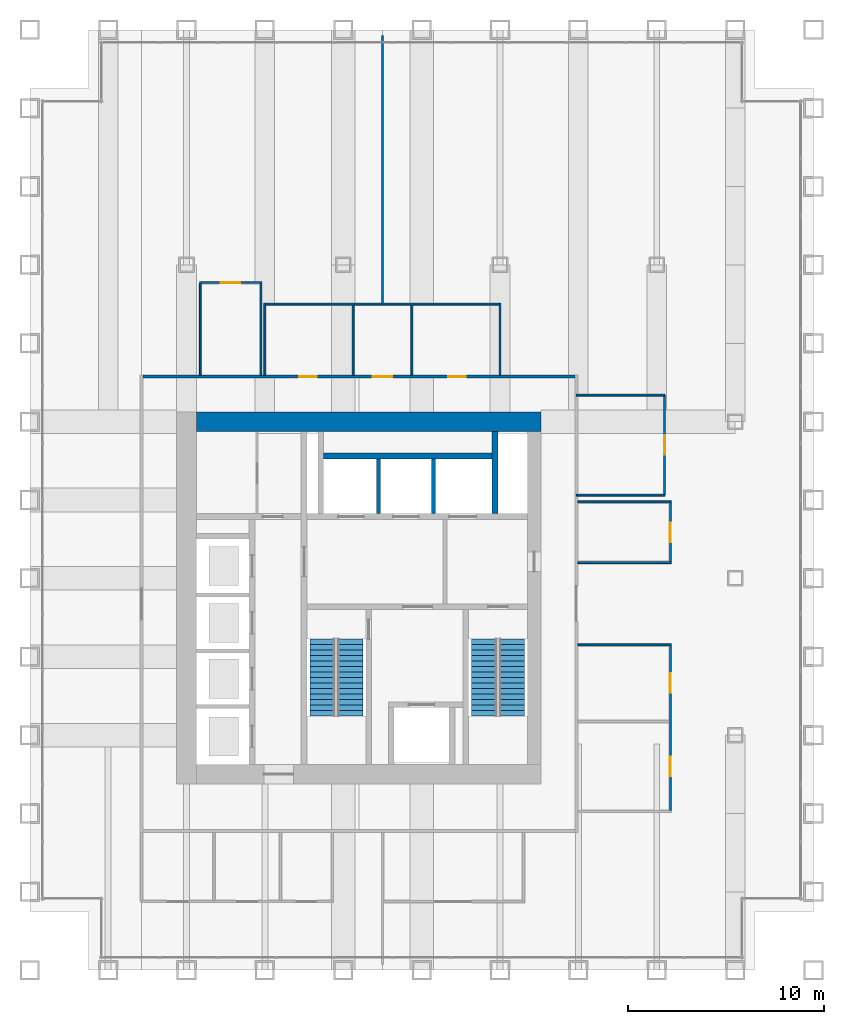
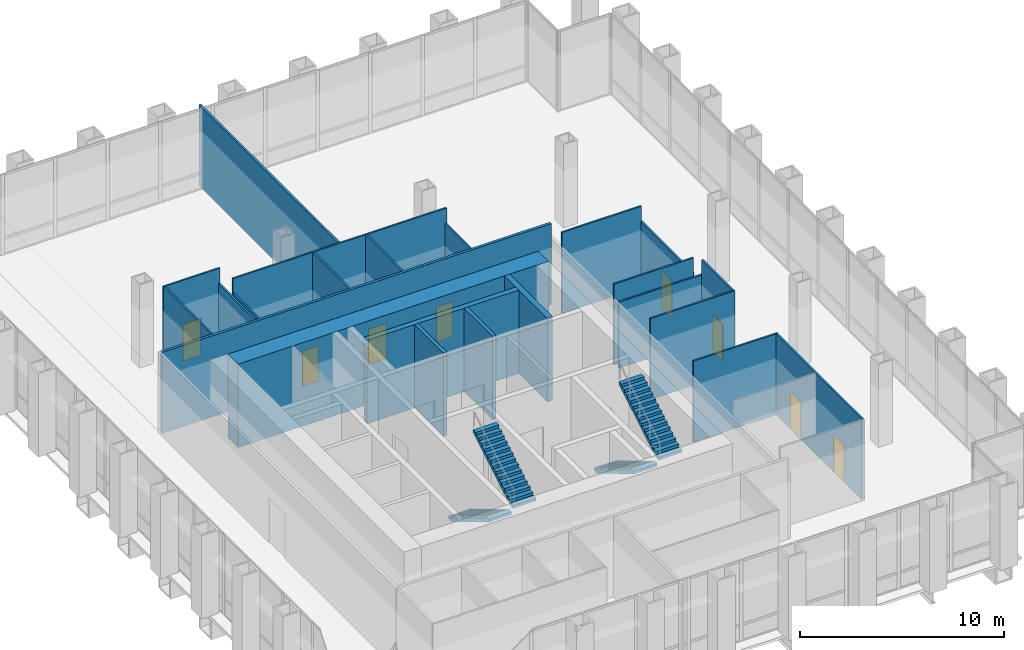
# One storey, part 11 of 13: 23 walls, 8 doors, 4 stair flights, 8 openings, 2 elements without a shape of their own.
"""IFC4 building model written with IfcOpenShell, lengths in metres."""

from ifc_helpers import new_model, si_unit, direction, frame, frame_2d, origin, place, context, subcontext, project, spatial, polyline, rectangle, outline, extrude, material, layer, layer_set, type_object, element, fill, aggregate, save


model = new_model("IFC4")

# Units and contexts
model_context = context("Model", 3, precision=1e-05, world=origin(), true_north=direction((0.0, 1.0)))
body_context = subcontext(model_context, "Body", "Model", "MODEL_VIEW")
ifc_project = project(units=[si_unit("LENGTHUNIT", "METRE"), si_unit("AREAUNIT", "SQUARE_METRE"), si_unit("VOLUMEUNIT", "CUBIC_METRE"), si_unit("PLANEANGLEUNIT", "RADIAN"), si_unit("MASSUNIT", "GRAM", prefix="KILO")], contexts=[model_context])

# Site, building, storey
site_placement = place(None, origin())
site = spatial("IfcSite", under=ifc_project, at=site_placement, CompositionType="ELEMENT")
building_placement = place(site_placement, origin())
building = spatial("IfcBuilding", under=site, at=building_placement, Name="Rimbunsela Tower", CompositionType="ELEMENT")
storey_placement = place(building_placement, frame((0.0, 0.0, 209.199951171875)))
storey = spatial("IfcBuildingStorey", under=building, at=storey_placement, Name="L50", CompositionType="ELEMENT", Elevation=209.199951171875)

# Walls
ifc_material_1 = material(Name="Concrete fc' 80 MPa", Category="concrete")
ifc_layer_1 = layer(ifc_material_1, 0.300048828125)
ifc_layer_set_1 = layer_set([ifc_layer_1], Name="Core internal wall 300")
wall_type_1 = type_object("IfcWallType", Name="Core internal wall 300", PredefinedType="SHEAR", material=ifc_layer_set_1)
wall_1_placement = place(storey_placement, frame((33.75, 31.300048828125, -0.14990234375), z_axis=(0.0, 0.0, 1.0), x_axis=(0.0, 1.0, 0.0)))
element("IfcWall", 1, at=wall_1_placement, inside=storey, type_object=wall_type_1, Name="Riser wall", PredefinedType="SHEAR", context=body_context, shape_type="SweptSolid", body=[
    extrude(rectangle(XDim=4.199951171875, YDim=0.300048828125, at=frame_2d((2.10009765625, 0.0))), origin(), (0.0, 0.0, 1.0), 5.0),
])
wall_2_placement = place(storey_placement, frame((25.0, 34.25, -0.14990234375), z_axis=(0.0, 0.0, 1.0), x_axis=(1.0, 0.0, 0.0)))
element("IfcWall", 2, at=wall_2_placement, inside=storey, type_object=wall_type_1, Name="Lift shaft rear north", PredefinedType="SHEAR", context=body_context, shape_type="SweptSolid", body=[
    extrude(rectangle(XDim=8.60009765625, YDim=0.300048828125, at=frame_2d((4.300048828125, 0.0))), origin(), (0.0, 0.0, 1.0), 5.0),
])
ifc_material_2 = material(Name="Concrete fc' 80 MPa", Category="concrete")
ifc_layer_2 = layer(ifc_material_2, 1.0)
ifc_layer_set_2 = layer_set([ifc_layer_2], Name="Core wall 1000")
wall_type_2 = type_object("IfcWallType", Name="Core wall 1000", PredefinedType="SHEAR", material=ifc_layer_set_2)
wall_3_placement = place(storey_placement, frame((18.5, 36.0, -0.14990234375), z_axis=(0.0, 0.0, 1.0), x_axis=(1.0, 0.0, 0.0)))
element("IfcWall", 3, at=wall_3_placement, inside=storey, type_object=wall_type_2, Name="Core wall north", PredefinedType="SHEAR", context=body_context, shape_type="SweptSolid", body=[
    extrude(rectangle(XDim=17.60009765625, YDim=1.0, at=frame_2d((8.800048828125, 0.0))), origin(), (0.0, 0.0, 1.0), 5.0),
])
ifc_material_3 = material(Name="Concrete blockwork", Category="masonry")
ifc_layer_3 = layer(ifc_material_3, 0.199951171875)
ifc_layer_set_3 = layer_set([ifc_layer_3], Name="Lift shaft wall 200")
wall_type_3 = type_object("IfcWallType", Name="Lift shaft wall 200", PredefinedType="SOLIDWALL", material=ifc_layer_set_3)
for number, where, z_axis, x_axis, name in (
    (4, (27.800048828125, 31.300048828125, -0.14990234375), (0.0, 0.0, 1.0), (0.0, 1.0, 0.0), "Lift shaft separation"),
    (5, (30.60009765625, 31.300048828125, -0.14990234375), (0.0, 0.0, 1.0), (0.0, 1.0, 0.0), "Lift shaft separation"),
):
    element("IfcWall", number, at=place(storey_placement, frame(where, z_axis=z_axis, x_axis=x_axis)), inside=storey, type_object=wall_type_3, Name=name, PredefinedType="SOLIDWALL", context=body_context, shape_type="SweptSolid", body=[
        extrude(rectangle(XDim=2.800048828125, YDim=0.199951171875, at=frame_2d((1.39990234375, 0.0))), origin(), (0.0, 0.0, 1.0), 5.0),
    ])
ifc_material_4 = material(Name="Gypsum board on steel studs", Category="steel")
ifc_layer_4 = layer(ifc_material_4, 0.10009765625)
ifc_layer_set_4 = layer_set([ifc_layer_4], Name="Office partition 100")
wall_type_4 = type_object("IfcWallType", Name="Office partition 100", PredefinedType="PARTITIONING", material=ifc_layer_set_4)
for number, where, z_axis, x_axis, name in (
    (6, (37.97509765625, 24.60009765625, 0.0), (0.0, 0.0, 1.0), (1.0, 0.0, 0.0), "Office partition"),
    (7, (37.97509765625, 28.800048828125, 0.0), (0.0, 0.0, 1.0), (1.0, 0.0, 0.0), "Office partition"),
):
    element("IfcWall", number, at=place(storey_placement, frame(where, z_axis=z_axis, x_axis=x_axis)), inside=storey, type_object=wall_type_4, Name=name, PredefinedType="PARTITIONING", context=body_context, shape_type="SweptSolid", body=[
        extrude(rectangle(XDim=4.77490234375, YDim=0.10009765625, at=frame_2d((2.387451171875, 0.0))), origin(), (0.0, 0.0, 1.0), 4.85009765625),
    ])
wall_4_placement = place(storey_placement, frame((37.97509765625, 31.89990234375, 0.0), z_axis=(0.0, 0.0, 1.0), x_axis=(1.0, 0.0, 0.0)))
element("IfcWall", 8, at=wall_4_placement, inside=storey, type_object=wall_type_4, Name="Office partition", PredefinedType="PARTITIONING", context=body_context, shape_type="SweptSolid", body=[
    extrude(rectangle(XDim=4.77490234375, YDim=0.10009765625, at=frame_2d((2.387451171875, 0.0))), origin(), (0.0, 0.0, 1.0), 3.949951171875),
])

# Wall, opening, door
wall_5_placement = place(storey_placement, frame((18.64990234375, 43.10009765625, 0.0), z_axis=(0.0, 0.0, 1.0), x_axis=(1.0, 0.0, 0.0)))
wall_5 = element("IfcWall", 9, at=wall_5_placement, inside=storey, type_object=wall_type_4, Name="Office partition", PredefinedType="PARTITIONING", context=body_context, shape_type="SweptSolid", body=[
    extrude(rectangle(XDim=3.2001953125, YDim=0.10009765625, at=frame_2d((1.60009765625, 0.0))), origin(), (0.0, 0.0, 1.0), 4.85009765625),
])
opening_1_placement = place(wall_5_placement, frame((1.10009765625, 0.0, 0.0)))
opening_1 = element("IfcOpeningElement", 10, at=opening_1_placement, cuts=wall_5, Name="Opening D16", PredefinedType="OPENING", context=body_context, shape_type="SweptSolid", body=[
    extrude(rectangle(XDim=1.0, YDim=2.199951171875, at=frame_2d((0.5, 1.10009765625))), frame((0.0, 0.06005859375, 0.0), z_axis=(0.0, -1.0, 0.0), x_axis=(1.0, 0.0, 0.0)), (0.0, 0.0, 1.0), 0.1201171875),
])
ifc_material_5 = material(Name="Timber door", Category="wood")
door_type_1 = type_object("IfcDoorType", Name="Office door 1000", OperationType="SINGLE_SWING_LEFT", PredefinedType="DOOR", material=ifc_material_5)
door_1_placement = place(opening_1_placement, origin())
door_1 = element("IfcDoor", 11, at=door_1_placement, inside=storey, type_object=door_type_1, Name="Office door", OperationType="SINGLE_SWING_LEFT", OverallHeight=2.199951171875, OverallWidth=1.0, PredefinedType="DOOR", context=body_context, shape_type="SweptSolid", body=[
    extrude(rectangle(XDim=1.0, YDim=2.199951171875, at=frame_2d((0.5, 1.10009765625))), frame((0.0, 0.02490234375, 0.0), z_axis=(0.0, -1.0, 0.0), x_axis=(1.0, 0.0, 0.0)), (0.0, 0.0, 1.0), 0.050048828125),
])
fill(opening_1, door_1)

# Walls
wall_6_placement = place(storey_placement, frame((18.699951171875, 38.375, 0.0), z_axis=(0.0, 0.0, 1.0), x_axis=(0.0, 1.0, 0.0)))
element("IfcWall", 12, at=wall_6_placement, inside=storey, type_object=wall_type_4, Name="Office partition", PredefinedType="PARTITIONING", context=body_context, shape_type="SweptSolid", body=[
    extrude(rectangle(XDim=4.675048828125, YDim=0.10009765625, at=frame_2d((2.33740234375, 0.0))), origin(), (0.0, 0.0, 1.0), 4.85009765625),
])
wall_7_placement = place(storey_placement, frame((21.800048828125, 38.375, 0.0), z_axis=(0.0, 0.0, 1.0), x_axis=(0.0, 1.0, 0.0)))
element("IfcWall", 13, at=wall_7_placement, inside=storey, type_object=wall_type_4, Name="Office partition", PredefinedType="PARTITIONING", context=body_context, shape_type="SweptSolid", body=[
    extrude(rectangle(XDim=4.675048828125, YDim=0.10009765625, at=frame_2d((2.33740234375, 0.0))), origin(), (0.0, 0.0, 1.0), 3.949951171875),
])

# Wall, openings, doors
wall_8_placement = place(storey_placement, frame((42.699951171875, 16.14990234375, 0.0), z_axis=(0.0, 0.0, 1.0), x_axis=(0.0, 1.0, 0.0)))
wall_8 = element("IfcWall", 14, at=wall_8_placement, inside=storey, type_object=wall_type_4, Name="Office partition", PredefinedType="PARTITIONING", context=body_context, shape_type="SweptSolid", body=[
    extrude(rectangle(XDim=8.400146484375, YDim=0.10009765625, at=frame_2d((4.2001953125, 0.0))), origin(), (0.0, 0.0, 1.0), 4.85009765625),
])
opening_2_placement = place(wall_8_placement, frame((1.75, 0.0, 0.0)))
opening_2 = element("IfcOpeningElement", 15, at=opening_2_placement, cuts=wall_8, Name="Opening D16", PredefinedType="OPENING", context=body_context, shape_type="SweptSolid", body=[
    extrude(rectangle(XDim=1.0, YDim=2.199951171875, at=frame_2d((0.5, 1.10009765625))), frame((0.0, 0.06005859375, 0.0), z_axis=(0.0, -1.0, 0.0), x_axis=(1.0, 0.0, 0.0)), (0.0, 0.0, 1.0), 0.1201171875),
])
opening_3_placement = place(wall_8_placement, frame((6.0, 0.0, 0.0)))
opening_3 = element("IfcOpeningElement", 16, at=opening_3_placement, cuts=wall_8, Name="Opening D16", PredefinedType="OPENING", context=body_context, shape_type="SweptSolid", body=[
    extrude(rectangle(XDim=1.0, YDim=2.199951171875, at=frame_2d((0.5, 1.10009765625))), frame((0.0, 0.06005859375, 0.0), z_axis=(0.0, -1.0, 0.0), x_axis=(1.0, 0.0, 0.0)), (0.0, 0.0, 1.0), 0.1201171875),
])
door_2_placement = place(opening_2_placement, origin())
door_2 = element("IfcDoor", 17, at=door_2_placement, inside=storey, type_object=door_type_1, Name="Office door", OperationType="SINGLE_SWING_LEFT", OverallHeight=2.199951171875, OverallWidth=1.0, PredefinedType="DOOR", context=body_context, shape_type="SweptSolid", body=[
    extrude(rectangle(XDim=1.0, YDim=2.199951171875, at=frame_2d((0.5, 1.10009765625))), frame((0.0, 0.02490234375, 0.0), z_axis=(0.0, -1.0, 0.0), x_axis=(1.0, 0.0, 0.0)), (0.0, 0.0, 1.0), 0.050048828125),
])
fill(opening_2, door_2)
door_3_placement = place(opening_3_placement, origin())
door_3 = element("IfcDoor", 18, at=door_3_placement, inside=storey, type_object=door_type_1, Name="Office door", OperationType="SINGLE_SWING_LEFT", OverallHeight=2.199951171875, OverallWidth=1.0, PredefinedType="DOOR", context=body_context, shape_type="SweptSolid", body=[
    extrude(rectangle(XDim=1.0, YDim=2.199951171875, at=frame_2d((0.5, 1.10009765625))), frame((0.0, 0.02490234375, 0.0), z_axis=(0.0, -1.0, 0.0), x_axis=(1.0, 0.0, 0.0)), (0.0, 0.0, 1.0), 0.050048828125),
])
fill(opening_3, door_3)

# Wall, opening, door
wall_9_placement = place(storey_placement, frame((42.699951171875, 28.85009765625, 0.0), z_axis=(0.0, 0.0, 1.0), x_axis=(0.0, 1.0, 0.0)))
wall_9 = element("IfcWall", 19, at=wall_9_placement, inside=storey, type_object=wall_type_4, Name="Office partition", PredefinedType="PARTITIONING", context=body_context, shape_type="SweptSolid", body=[
    extrude(rectangle(XDim=3.0, YDim=0.10009765625, at=frame_2d((1.5, 0.0))), origin(), (0.0, 0.0, 1.0), 4.85009765625),
])
opening_4_placement = place(wall_9_placement, frame((1.0, 0.0, 0.0)))
opening_4 = element("IfcOpeningElement", 20, at=opening_4_placement, cuts=wall_9, Name="Opening D16", PredefinedType="OPENING", context=body_context, shape_type="SweptSolid", body=[
    extrude(rectangle(XDim=1.0, YDim=2.199951171875, at=frame_2d((0.5, 1.10009765625))), frame((0.0, 0.06005859375, 0.0), z_axis=(0.0, -1.0, 0.0), x_axis=(1.0, 0.0, 0.0)), (0.0, 0.0, 1.0), 0.1201171875),
])
door_4_placement = place(opening_4_placement, origin())
door_4 = element("IfcDoor", 21, at=door_4_placement, inside=storey, type_object=door_type_1, Name="Office door", OperationType="SINGLE_SWING_LEFT", OverallHeight=2.199951171875, OverallWidth=1.0, PredefinedType="DOOR", context=body_context, shape_type="SweptSolid", body=[
    extrude(rectangle(XDim=1.0, YDim=2.199951171875, at=frame_2d((0.5, 1.10009765625))), frame((0.0, 0.02490234375, 0.0), z_axis=(0.0, -1.0, 0.0), x_axis=(1.0, 0.0, 0.0)), (0.0, 0.0, 1.0), 0.050048828125),
])
fill(opening_4, door_4)

# Wall
wall_10_placement = place(storey_placement, frame((37.89990234375, 32.25, 0.0), z_axis=(0.0, 0.0, 1.0), x_axis=(1.0, 0.0, 0.0)))
element("IfcWall", 22, at=wall_10_placement, inside=storey, type_object=wall_type_4, Name="Office partition", PredefinedType="PARTITIONING", context=body_context, shape_type="SweptSolid", body=[
    extrude(rectangle(XDim=4.5, YDim=0.10009765625, at=frame_2d((2.25, 0.0))), origin(), (0.0, 0.0, 1.0), 4.85009765625),
])

# Wall, opening, door
wall_11_placement = place(storey_placement, frame((42.39990234375, 32.25, 0.0), z_axis=(0.0, 0.0, 1.0), x_axis=(0.0, 1.0, 0.0)))
wall_11 = element("IfcWall", 23, at=wall_11_placement, inside=storey, type_object=wall_type_4, Name="Office partition", PredefinedType="PARTITIONING", context=body_context, shape_type="SweptSolid", body=[
    extrude(rectangle(XDim=5.10009765625, YDim=0.10009765625, at=frame_2d((2.550048828125, 0.0))), origin(), (0.0, 0.0, 1.0), 3.949951171875),
])
opening_5_placement = place(wall_11_placement, frame((2.050048828125, 0.0, 0.0)))
opening_5 = element("IfcOpeningElement", 24, at=opening_5_placement, cuts=wall_11, Name="Opening D17", PredefinedType="OPENING", context=body_context, shape_type="SweptSolid", body=[
    extrude(rectangle(XDim=1.0, YDim=2.199951171875, at=frame_2d((0.5, 1.10009765625))), frame((0.0, 0.06005859375, 0.0), z_axis=(0.0, -1.0, 0.0), x_axis=(1.0, 0.0, 0.0)), (0.0, 0.0, 1.0), 0.1201171875),
])
ifc_material_6 = material(Name="Glazed aluminium door", Category="aluminium")
door_type_2 = type_object("IfcDoorType", Name="Meeting room door 1000 glazed", OperationType="SINGLE_SWING_RIGHT", PredefinedType="DOOR", material=ifc_material_6)
door_5_placement = place(opening_5_placement, origin())
door_5 = element("IfcDoor", 25, at=door_5_placement, inside=storey, type_object=door_type_2, Name="Reception door", OperationType="SINGLE_SWING_RIGHT", OverallHeight=2.199951171875, OverallWidth=1.0, PredefinedType="DOOR", context=body_context, shape_type="SweptSolid", body=[
    extrude(rectangle(XDim=1.0, YDim=2.199951171875, at=frame_2d((0.5, 1.10009765625))), frame((0.0, 0.02490234375, 0.0), z_axis=(0.0, -1.0, 0.0), x_axis=(1.0, 0.0, 0.0)), (0.0, 0.0, 1.0), 0.050048828125),
])
fill(opening_5, door_5)

# Wall
wall_12_placement = place(storey_placement, frame((42.39990234375, 37.35009765625, 0.0), z_axis=(0.0, 0.0, 1.0), x_axis=(-1.0, 0.0, 0.0)))
element("IfcWall", 26, at=wall_12_placement, inside=storey, type_object=wall_type_4, Name="Office partition", PredefinedType="PARTITIONING", context=body_context, shape_type="SweptSolid", body=[
    extrude(rectangle(XDim=4.5, YDim=0.10009765625, at=frame_2d((2.25, 0.0))), origin(), (0.0, 0.0, 1.0), 4.85009765625),
])

# Wall, openings, doors
ifc_material_7 = material(Name="Fire-rated gypsum board on steel studs, EI 60", Category="steel")
ifc_layer_5 = layer(ifc_material_7, 0.14990234375)
ifc_layer_set_5 = layer_set([ifc_layer_5], Name="Rated corridor wall 150")
wall_type_5 = type_object("IfcWallType", Name="Rated corridor wall 150", PredefinedType="PARTITIONING", material=ifc_layer_set_5)
wall_13_placement = place(storey_placement, frame((15.77490234375, 38.300048828125, 0.0), z_axis=(0.0, 0.0, 1.0), x_axis=(1.0, 0.0, 0.0)))
wall_13 = element("IfcWall", 27, at=wall_13_placement, inside=storey, type_object=wall_type_5, Name="Corridor wall north", PredefinedType="PARTITIONING", context=body_context, shape_type="SweptSolid", body=[
    extrude(rectangle(XDim=22.050048828125, YDim=0.14990234375, at=frame_2d((11.02490234375, 0.0))), origin(), (0.0, 0.0, 1.0), 4.85009765625),
])
opening_6_placement = place(wall_13_placement, frame((7.97509765625, 0.0, 0.0)))
opening_6 = element("IfcOpeningElement", 28, at=opening_6_placement, cuts=wall_13, Name="Opening D04", PredefinedType="OPENING", context=body_context, shape_type="SweptSolid", body=[
    extrude(rectangle(XDim=0.89990234375, YDim=2.10009765625, at=frame_2d((0.449951171875, 1.050048828125))), frame((0.0, 0.0849609375, 0.0), z_axis=(0.0, -1.0, 0.0), x_axis=(1.0, 0.0, 0.0)), (0.0, 0.0, 1.0), 0.169921875),
])
opening_7_placement = place(wall_13_placement, frame((11.72509765625, 0.0, 0.0)))
opening_7 = element("IfcOpeningElement", 29, at=opening_7_placement, cuts=wall_13, Name="Opening D05", PredefinedType="OPENING", context=body_context, shape_type="SweptSolid", body=[
    extrude(rectangle(XDim=1.0, YDim=2.10009765625, at=frame_2d((0.5, 1.050048828125))), frame((0.0, 0.0849609375, 0.0), z_axis=(0.0, -1.0, 0.0), x_axis=(1.0, 0.0, 0.0)), (0.0, 0.0, 1.0), 0.169921875),
])
opening_8_placement = place(wall_13_placement, frame((15.574951171875, 0.0, 0.0)))
opening_8 = element("IfcOpeningElement", 30, at=opening_8_placement, cuts=wall_13, Name="Opening D04", PredefinedType="OPENING", context=body_context, shape_type="SweptSolid", body=[
    extrude(rectangle(XDim=0.89990234375, YDim=2.10009765625, at=frame_2d((0.449951171875, 1.050048828125))), frame((0.0, 0.0849609375, 0.0), z_axis=(0.0, -1.0, 0.0), x_axis=(1.0, 0.0, 0.0)), (0.0, 0.0, 1.0), 0.169921875),
])
ifc_material_8 = material(Name="Timber door", Category="wood")
door_type_3 = type_object("IfcDoorType", Name="Accessible WC door 1000", OperationType="SLIDING_TO_LEFT", PredefinedType="DOOR", material=ifc_material_8)
door_6_placement = place(opening_7_placement, origin())
door_6 = element("IfcDoor", 31, at=door_6_placement, inside=storey, type_object=door_type_3, Name="Accessible WC door", OperationType="SLIDING_TO_LEFT", OverallHeight=2.10009765625, OverallWidth=1.0, PredefinedType="DOOR", context=body_context, shape_type="SweptSolid", body=[
    extrude(rectangle(XDim=1.0, YDim=2.10009765625, at=frame_2d((0.5, 1.050048828125))), frame((0.0, 0.02490234375, 0.0), z_axis=(0.0, -1.0, 0.0), x_axis=(1.0, 0.0, 0.0)), (0.0, 0.0, 1.0), 0.050048828125),
])
fill(opening_7, door_6)
ifc_material_9 = material(Name="Timber door", Category="wood")
door_type_4 = type_object("IfcDoorType", Name="Toilet door 900", OperationType="SINGLE_SWING_LEFT", PredefinedType="DOOR", material=ifc_material_9)
door_7_placement = place(opening_6_placement, origin())
door_7 = element("IfcDoor", 32, at=door_7_placement, inside=storey, type_object=door_type_4, Name="Female WC door", OperationType="SINGLE_SWING_LEFT", OverallHeight=2.10009765625, OverallWidth=0.89990234375, PredefinedType="DOOR", context=body_context, shape_type="SweptSolid", body=[
    extrude(rectangle(XDim=0.89990234375, YDim=2.10009765625, at=frame_2d((0.449951171875, 1.050048828125))), frame((0.0, 0.02490234375, 0.0), z_axis=(0.0, -1.0, 0.0), x_axis=(1.0, 0.0, 0.0)), (0.0, 0.0, 1.0), 0.050048828125),
])
fill(opening_6, door_7)
door_8_placement = place(opening_8_placement, origin())
door_8 = element("IfcDoor", 33, at=door_8_placement, inside=storey, type_object=door_type_4, Name="Male WC door", OperationType="SINGLE_SWING_LEFT", OverallHeight=2.10009765625, OverallWidth=0.89990234375, PredefinedType="DOOR", context=body_context, shape_type="SweptSolid", body=[
    extrude(rectangle(XDim=0.89990234375, YDim=2.10009765625, at=frame_2d((0.449951171875, 1.050048828125))), frame((0.0, 0.02490234375, 0.0), z_axis=(0.0, -1.0, 0.0), x_axis=(1.0, 0.0, 0.0)), (0.0, 0.0, 1.0), 0.050048828125),
])
fill(opening_8, door_8)

# Walls
ifc_material_10 = material(Name="Gypsum board on steel studs", Category="steel")
ifc_layer_6 = layer(ifc_material_10, 0.1201171875)
ifc_layer_set_6 = layer_set([ifc_layer_6], Name="Tenancy partition 120")
wall_type_6 = type_object("IfcWallType", Name="Tenancy partition 120", PredefinedType="PARTITIONING", material=ifc_layer_set_6)
wall_14_placement = place(storey_placement, frame((28.0, 42.050048828125, 0.0), z_axis=(0.0, 0.0, 1.0), x_axis=(0.0, 1.0, 0.0)))
element("IfcWall", 34, at=wall_14_placement, inside=storey, type_object=wall_type_6, Name="Tenancy partition north", PredefinedType="PARTITIONING", context=body_context, shape_type="SweptSolid", body=[
    extrude(rectangle(XDim=13.64990234375, YDim=0.1201171875, at=frame_2d((6.824951171875, 0.0))), origin(), (0.0, 0.0, 1.0), 4.85009765625),
])
ifc_material_11 = material(Name="Concrete blockwork", Category="masonry")
ifc_layer_7 = layer(ifc_material_11, 0.10009765625)
ifc_layer_set_7 = layer_set([ifc_layer_7], Name="Toilet partition 100")
wall_type_7 = type_object("IfcWallType", Name="Toilet partition 100", PredefinedType="PARTITIONING", material=ifc_layer_set_7)
for number, where, z_axis, x_axis, name in (
    (35, (22.0, 38.375, 0.0), (0.0, 0.0, 1.0), (0.0, 1.0, 0.0), "Toilet block wall west"),
    (36, (34.0, 38.375, 0.0), (0.0, 0.0, 1.0), (0.0, 1.0, 0.0), "Toilet block wall east"),
):
    element("IfcWall", number, at=place(storey_placement, frame(where, z_axis=z_axis, x_axis=x_axis)), inside=storey, type_object=wall_type_7, Name=name, PredefinedType="PARTITIONING", context=body_context, shape_type="SweptSolid", body=[
        extrude(rectangle(XDim=3.675048828125, YDim=0.10009765625, at=frame_2d((1.83740234375, 0.0))), origin(), (0.0, 0.0, 1.0), 3.949951171875),
    ])
wall_15_placement = place(storey_placement, frame((21.949951171875, 42.0, 0.0), z_axis=(0.0, 0.0, 1.0), x_axis=(1.0, 0.0, 0.0)))
element("IfcWall", 37, at=wall_15_placement, inside=storey, type_object=wall_type_7, Name="Toilet block wall north", PredefinedType="PARTITIONING", context=body_context, shape_type="SweptSolid", body=[
    extrude(rectangle(XDim=12.10009765625, YDim=0.10009765625, at=frame_2d((6.050048828125, 0.0))), origin(), (0.0, 0.0, 1.0), 4.85009765625),
])
for number, where, z_axis, x_axis, name in (
    (38, (26.5, 38.375, 0.0), (0.0, 0.0, 1.0), (0.0, 1.0, 0.0), "Toilet partition"),
    (39, (29.5, 38.375, 0.0), (0.0, 0.0, 1.0), (0.0, 1.0, 0.0), "Toilet partition"),
):
    element("IfcWall", number, at=place(storey_placement, frame(where, z_axis=z_axis, x_axis=x_axis)), inside=storey, type_object=wall_type_7, Name=name, PredefinedType="PARTITIONING", context=body_context, shape_type="SweptSolid", body=[
        extrude(rectangle(XDim=3.574951171875, YDim=0.10009765625, at=frame_2d((1.78759765625, 0.0))), origin(), (0.0, 0.0, 1.0), 4.85009765625),
    ])

# Stair, stair flights
ifc_material_12 = material(Name="Concrete fc' 35 MPa", Category="concrete")
stair_type = type_object("IfcStairType", Name="Exit stair 30 risers", PredefinedType="HALF_TURN_STAIR", material=ifc_material_12)
stair_1_placement = place(storey_placement, origin())
stair_1 = element("IfcStair", 40, at=stair_1_placement, inside=storey, type_object=stair_type, Name="Exit stair A L50", PredefinedType="HALF_TURN_STAIR")
ifc_material_13 = material(Name="Concrete fc' 35 MPa", Category="concrete")
stair_flight_type = type_object("IfcStairFlightType", Name="Stair flight 15 risers 167", PredefinedType="STRAIGHT", material=ifc_material_13)
stair_flight_1_placement = place(storey_placement, frame((24.949951171875, 24.89990234375, 0.0), z_axis=(0.0, 0.0, 1.0), x_axis=(0.0, -1.0, 0.0)))
stair_flight_1 = element("IfcStairFlight", 41, at=stair_flight_1_placement, type_object=stair_flight_type, Name="ST-A flight 1", NumberOfRisers=15, NumberOfTreads=14, PredefinedType="STRAIGHT", RiserHeight=0.166666667, TreadLength=0.28, context=body_context, shape_type="SweptSolid", body=[
    extrude(outline(polyline([(0.0, 0.0), (0.0, 0.166748046875), (0.280029296875, 0.166748046875), (0.280029296875, 0.333251953125), (0.56005859375, 0.333251953125), (0.56005859375, 0.5), (0.840087890625, 0.5), (0.840087890625, 0.666748046875), (1.1201171875, 0.666748046875), (1.1201171875, 0.833251953125), (1.39990234375, 0.833251953125), (1.39990234375, 1.0), (1.679931640625, 1.0), (1.679931640625, 1.166748046875), (1.9599609375, 1.166748046875), (1.9599609375, 1.333251953125), (2.239990234375, 1.333251953125), (2.239990234375, 1.5), (2.52001953125, 1.5), (2.52001953125, 1.666748046875), (2.800048828125, 1.666748046875), (2.800048828125, 1.833251953125), (3.080078125, 1.833251953125), (3.080078125, 2.0), (3.360107421875, 2.0), (3.360107421875, 2.166748046875), (3.639892578125, 2.166748046875), (3.639892578125, 2.333251953125), (3.919921875, 2.333251953125), (3.919921875, 2.5), (3.919921875, 2.158935546875), (0.29296875, 0.0), (0.0, 0.0)])), frame((0.0, 0.64990234375, 0.0), z_axis=(0.0, -1.0, 0.0), x_axis=(1.0, 0.0, 0.0)), (0.0, 0.0, 1.0), 1.300048828125),
])
stair_flight_2_placement = place(storey_placement, frame((26.35009765625, 20.97998046875, 2.5), z_axis=(0.0, 0.0, 1.0), x_axis=(0.0, 1.0, 0.0)))
stair_flight_2 = element("IfcStairFlight", 42, at=stair_flight_2_placement, type_object=stair_flight_type, Name="ST-A flight 2", NumberOfRisers=15, NumberOfTreads=14, PredefinedType="STRAIGHT", RiserHeight=0.166666667, TreadLength=0.28, context=body_context, shape_type="SweptSolid", body=[
    extrude(outline(polyline([(0.0, 0.0), (0.0, 0.166748046875), (0.280029296875, 0.166748046875), (0.280029296875, 0.333251953125), (0.56005859375, 0.333251953125), (0.56005859375, 0.5), (0.840087890625, 0.5), (0.840087890625, 0.666748046875), (1.1201171875, 0.666748046875), (1.1201171875, 0.833251953125), (1.39990234375, 0.833251953125), (1.39990234375, 1.0), (1.679931640625, 1.0), (1.679931640625, 1.166748046875), (1.9599609375, 1.166748046875), (1.9599609375, 1.333251953125), (2.239990234375, 1.333251953125), (2.239990234375, 1.5), (2.52001953125, 1.5), (2.52001953125, 1.666748046875), (2.800048828125, 1.666748046875), (2.800048828125, 1.833251953125), (3.080078125, 1.833251953125), (3.080078125, 2.0), (3.360107421875, 2.0), (3.360107421875, 2.166748046875), (3.639892578125, 2.166748046875), (3.639892578125, 2.333251953125), (3.919921875, 2.333251953125), (3.919921875, 2.5), (3.919921875, 2.158935546875), (0.29296875, 0.0), (0.0, 0.0)])), frame((0.0, 0.64990234375, 0.0), z_axis=(0.0, -1.0, 0.0), x_axis=(1.0, 0.0, 0.0)), (0.0, 0.0, 1.0), 1.300048828125),
])
aggregate(stair_1, [stair_flight_1, stair_flight_2])

stair_2_placement = place(storey_placement, origin())
stair_2 = element("IfcStair", 43, at=stair_2_placement, inside=storey, type_object=stair_type, Name="Exit stair B L50", PredefinedType="HALF_TURN_STAIR")
stair_flight_3_placement = place(storey_placement, frame((33.199951171875, 24.89990234375, 0.0), z_axis=(0.0, 0.0, 1.0), x_axis=(0.0, -1.0, 0.0)))
stair_flight_3 = element("IfcStairFlight", 44, at=stair_flight_3_placement, type_object=stair_flight_type, Name="ST-B flight 1", NumberOfRisers=15, NumberOfTreads=14, PredefinedType="STRAIGHT", RiserHeight=0.166666667, TreadLength=0.28, context=body_context, shape_type="SweptSolid", body=[
    extrude(outline(polyline([(0.0, 0.0), (0.0, 0.166748046875), (0.280029296875, 0.166748046875), (0.280029296875, 0.333251953125), (0.56005859375, 0.333251953125), (0.56005859375, 0.5), (0.840087890625, 0.5), (0.840087890625, 0.666748046875), (1.1201171875, 0.666748046875), (1.1201171875, 0.833251953125), (1.39990234375, 0.833251953125), (1.39990234375, 1.0), (1.679931640625, 1.0), (1.679931640625, 1.166748046875), (1.9599609375, 1.166748046875), (1.9599609375, 1.333251953125), (2.239990234375, 1.333251953125), (2.239990234375, 1.5), (2.52001953125, 1.5), (2.52001953125, 1.666748046875), (2.800048828125, 1.666748046875), (2.800048828125, 1.833251953125), (3.080078125, 1.833251953125), (3.080078125, 2.0), (3.360107421875, 2.0), (3.360107421875, 2.166748046875), (3.639892578125, 2.166748046875), (3.639892578125, 2.333251953125), (3.919921875, 2.333251953125), (3.919921875, 2.5), (3.919921875, 2.158935546875), (0.29296875, 0.0), (0.0, 0.0)])), frame((0.0, 0.64990234375, 0.0), z_axis=(0.0, -1.0, 0.0), x_axis=(1.0, 0.0, 0.0)), (0.0, 0.0, 1.0), 1.300048828125),
])
stair_flight_4_placement = place(storey_placement, frame((34.60009765625, 20.97998046875, 2.5), z_axis=(0.0, 0.0, 1.0), x_axis=(0.0, 1.0, 0.0)))
stair_flight_4 = element("IfcStairFlight", 45, at=stair_flight_4_placement, type_object=stair_flight_type, Name="ST-B flight 2", NumberOfRisers=15, NumberOfTreads=14, PredefinedType="STRAIGHT", RiserHeight=0.166666667, TreadLength=0.28, context=body_context, shape_type="SweptSolid", body=[
    extrude(outline(polyline([(0.0, 0.0), (0.0, 0.166748046875), (0.280029296875, 0.166748046875), (0.280029296875, 0.333251953125), (0.56005859375, 0.333251953125), (0.56005859375, 0.5), (0.840087890625, 0.5), (0.840087890625, 0.666748046875), (1.1201171875, 0.666748046875), (1.1201171875, 0.833251953125), (1.39990234375, 0.833251953125), (1.39990234375, 1.0), (1.679931640625, 1.0), (1.679931640625, 1.166748046875), (1.9599609375, 1.166748046875), (1.9599609375, 1.333251953125), (2.239990234375, 1.333251953125), (2.239990234375, 1.5), (2.52001953125, 1.5), (2.52001953125, 1.666748046875), (2.800048828125, 1.666748046875), (2.800048828125, 1.833251953125), (3.080078125, 1.833251953125), (3.080078125, 2.0), (3.360107421875, 2.0), (3.360107421875, 2.166748046875), (3.639892578125, 2.166748046875), (3.639892578125, 2.333251953125), (3.919921875, 2.333251953125), (3.919921875, 2.5), (3.919921875, 2.158935546875), (0.29296875, 0.0), (0.0, 0.0)])), frame((0.0, 0.64990234375, 0.0), z_axis=(0.0, -1.0, 0.0), x_axis=(1.0, 0.0, 0.0)), (0.0, 0.0, 1.0), 1.300048828125),
])
aggregate(stair_2, [stair_flight_3, stair_flight_4])

save(model, "model.ifc")
